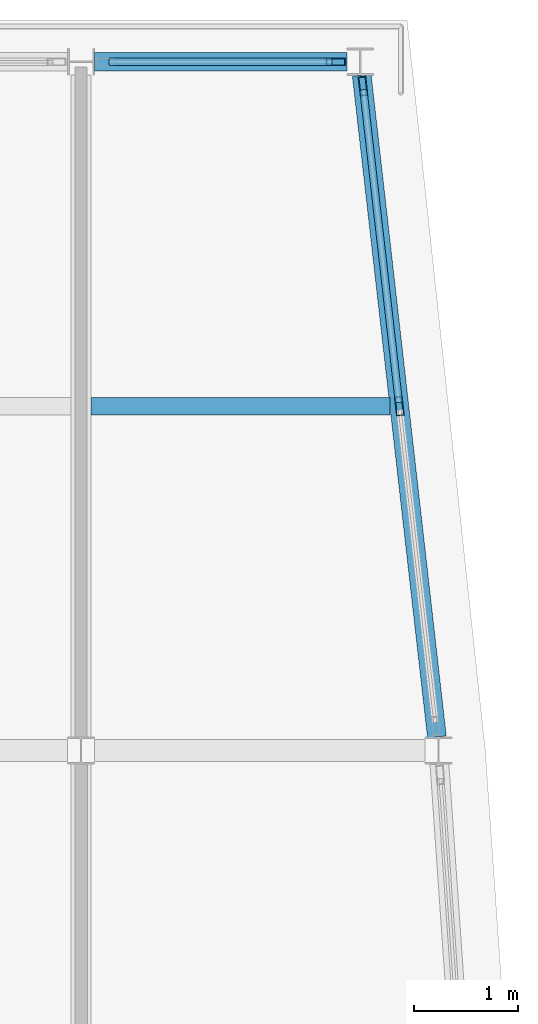
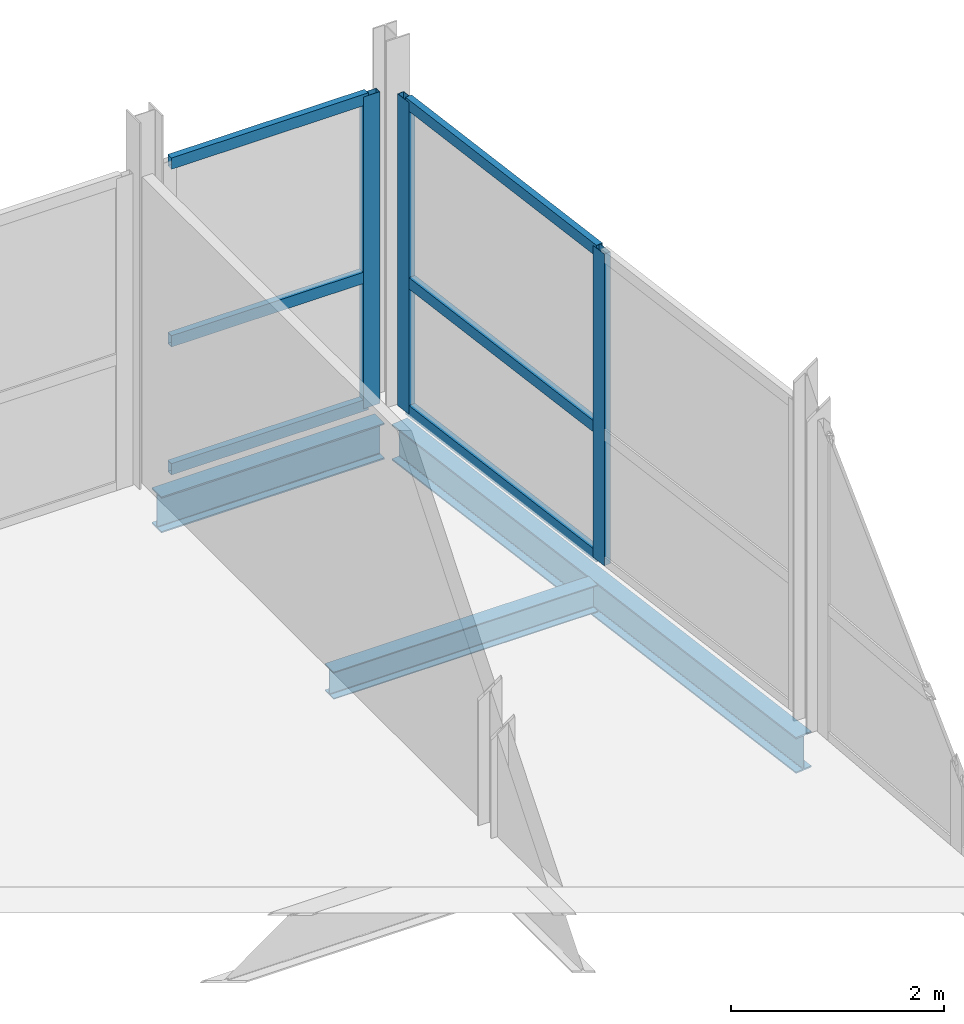
# One storey, part 9 of 14: 9 members, 3 beams, 2 elements without a shape of their own.
"""IFC4 building model written with IfcOpenShell, lengths in metres."""

from ifc_helpers import new_model, si_unit, direction, frame, origin, origin_2d, place, context, subcontext, project, spatial, hollow_rectangle, i_section, extrude, material, layer, layer_set, material_profile, profile_set, type_object, element, aggregate, save


model = new_model("IFC4")

# Units and contexts
model_context = context("Model", 3, precision=1e-05, world=origin(), true_north=direction((0.0, 1.0)))
body_context = subcontext(model_context, "Body", "Model", "MODEL_VIEW")
ifc_project = project(units=[si_unit("LENGTHUNIT", "METRE"), si_unit("AREAUNIT", "SQUARE_METRE"), si_unit("VOLUMEUNIT", "CUBIC_METRE"), si_unit("PLANEANGLEUNIT", "RADIAN"), si_unit("MASSUNIT", "GRAM", prefix="KILO")], contexts=[model_context])

# Site, building, storey
site_placement = place(None, origin())
site = spatial("IfcSite", under=ifc_project, at=site_placement, CompositionType="ELEMENT")
building_placement = place(site_placement, origin())
building = spatial("IfcBuilding", under=site, at=building_placement, Name="Quillay Park Conservatory", CompositionType="ELEMENT")
storey_placement = place(building_placement, frame((0.0, 0.0, 64.5)))
storey = spatial("IfcBuildingStorey", under=building, at=storey_placement, Name="L15", CompositionType="ELEMENT", Elevation=64.5)

# Beam
ifc_material_1 = material(Name="Steel ASTM A992 Grade 50", Category="steel")
ifc_material_profile_1 = material_profile(ifc_material_1, i_section(OverallWidth=0.166015625, OverallDepth=0.31298828125, WebThickness=0.006591796875, FlangeThickness=0.01123046875, FilletRadius=0.010009765625, at=origin_2d()), Name="W310x45")
ifc_profile_set_1 = profile_set([ifc_material_profile_1], Name="Steel ASTM A992 Grade 50")
beam_type_1 = type_object("IfcBeamType", Name="COMPOSITE FLOOR JOIST W310 X45", PredefinedType="JOIST", material=ifc_profile_set_1)
beam_1_placement = place(storey_placement, frame((19.845947265625, 110.10009765625, -0.3564453125), z_axis=(1.0, 0.0, 0.0), x_axis=(0.0, 1.0, 0.0)))
element("IfcBeam", 1, at=beam_1_placement, inside=storey, type_object=beam_type_1, Name="L15 beam BM-J-1046", PredefinedType="JOIST", context=body_context, shape_type="SweptSolid", body=[
    extrude(i_section(OverallWidth=0.166015625, OverallDepth=0.31298828125, WebThickness=0.006591796875, FlangeThickness=0.01123046875, FilletRadius=0.010009765625, at=origin_2d()), origin(), (0.0, 0.0, 1.0), 2.864013671875),
])

# Curtain wall, members
ifc_material_2 = material(Name="Thermally Broken Anodised Aluminium 6063-T6", Category="aluminium")
ifc_layer = layer(ifc_material_2, 0.179931640625)
ifc_layer_set = layer_set([ifc_layer], Name="UNITISED CURTAIN WALL TOWER (Thermally Broken Anodised Aluminium 6063-T6)")
curtain_wall_type = type_object("IfcCurtainWallType", Name="UNITISED CURTAIN WALL TOWER", PredefinedType="USERDEFINED", material=ifc_layer_set)
curtain_wall_1_placement = place(storey_placement, origin())
curtain_wall_1 = element("IfcCurtainWall", 2, at=curtain_wall_1_placement, inside=storey, type_object=curtain_wall_type, Name="L15 Unitised Curtain Wall 143", ObjectType="UNITISED CURTAIN WALL", PredefinedType="USERDEFINED")
ifc_material_3 = material(Name="Thermally Broken Anodised Aluminium 6063-T6", Category="aluminium")
ifc_material_profile_2 = material_profile(ifc_material_3, hollow_rectangle(XDim=0.070068359375, YDim=0.179931640625, WallThickness=0.00390625, at=origin_2d()), Name="AL70x180x4")
ifc_profile_set_2 = profile_set([ifc_material_profile_2], Name="Thermally Broken Anodised Aluminium 6063-T6")
member_type_1 = type_object("IfcMemberType", Name="CURTAIN WALL MULLION 70 X180", PredefinedType="MULLION", material=ifc_profile_set_2)
member_1_placement = place(storey_placement, frame((22.45166015625, 113.16650390625, 0.0), z_axis=(0.0, 0.0, 1.0), x_axis=(0.993605989969, 0.112903218278, 0.0)))
member_1 = element("IfcMember", 3, at=member_1_placement, type_object=member_type_1, Name="CW-T1 mullion 1", PredefinedType="MULLION", context=body_context, shape_type="SweptSolid", body=[
    extrude(hollow_rectangle(XDim=0.070068359375, YDim=0.179931640625, WallThickness=0.00390625, at=origin_2d()), origin(), (0.0, 0.0, 1.0), 3.573974609375),
])
member_2_placement = place(storey_placement, frame((22.800048828125, 110.10009765625, 0.0), z_axis=(0.0, 0.0, 1.0), x_axis=(0.993605989969, 0.112903218278, 0.0)))
member_2 = element("IfcMember", 4, at=member_2_placement, type_object=member_type_1, Name="CW-T1 mullion 2", PredefinedType="MULLION", context=body_context, shape_type="SweptSolid", body=[
    extrude(hollow_rectangle(XDim=0.070068359375, YDim=0.179931640625, WallThickness=0.00390625, at=origin_2d()), origin(), (0.0, 0.0, 1.0), 3.573974609375),
])

# Curtain wall, member
curtain_wall_2_placement = place(storey_placement, origin())
curtain_wall_2 = element("IfcCurtainWall", 5, at=curtain_wall_2_placement, inside=storey, type_object=curtain_wall_type, Name="L15 Unitised Curtain Wall 146", ObjectType="UNITISED CURTAIN WALL", PredefinedType="USERDEFINED")
member_3_placement = place(storey_placement, frame((22.18994140625, 113.39990234375, 0.0), z_axis=(0.0, 0.0, 1.0), x_axis=(0.0, 1.0, 0.0)))
member_3 = element("IfcMember", 6, at=member_3_placement, type_object=member_type_1, Name="CW-T1 mullion 2", PredefinedType="MULLION", context=body_context, shape_type="SweptSolid", body=[
    extrude(hollow_rectangle(XDim=0.070068359375, YDim=0.179931640625, WallThickness=0.00390625, at=origin_2d()), origin(), (0.0, 0.0, 1.0), 3.573974609375),
])

# Member
ifc_material_4 = material(Name="Thermally Broken Anodised Aluminium 6063-T6", Category="aluminium")
ifc_material_profile_3 = material_profile(ifc_material_4, hollow_rectangle(XDim=0.070068359375, YDim=0.1298828125, WallThickness=0.003173828125, at=origin_2d()), Name="AL70x130x3.2")
ifc_profile_set_3 = profile_set([ifc_material_profile_3], Name="Thermally Broken Anodised Aluminium 6063-T6")
member_type_2 = type_object("IfcMemberType", Name="CURTAIN WALL TRANSOM 70 X130", PredefinedType="USERDEFINED", material=ifc_profile_set_3)
member_4_placement = place(storey_placement, frame((22.45556640625, 113.1318359375, 0.034912109375), z_axis=(0.112909688044, -0.99360525479, 0.0), x_axis=(0.99360525479, 0.112909688044, 0.0)))
member_4 = element("IfcMember", 7, at=member_4_placement, type_object=member_type_2, Name="CW-T1 transom 1.1", ObjectType="TRANSOM", PredefinedType="USERDEFINED", context=body_context, shape_type="SweptSolid", body=[
    extrude(hollow_rectangle(XDim=0.070068359375, YDim=0.1298828125, WallThickness=0.003173828125, at=origin_2d()), origin(), (0.0, 0.0, 1.0), 3.016357421875),
])

member_5_placement = place(storey_placement, frame((22.45556640625, 113.1318359375, 1.501220703125), z_axis=(0.112909688044, -0.99360525479, 0.0), x_axis=(0.99360525479, 0.112909688044, 0.0)))
member_5 = element("IfcMember", 8, at=member_5_placement, type_object=member_type_2, Name="CW-T1 transom 1.2", ObjectType="TRANSOM", PredefinedType="USERDEFINED", context=body_context, shape_type="SweptSolid", body=[
    extrude(hollow_rectangle(XDim=0.070068359375, YDim=0.1298828125, WallThickness=0.003173828125, at=origin_2d()), origin(), (0.0, 0.0, 1.0), 3.016357421875),
])

member_6_placement = place(storey_placement, frame((22.45556640625, 113.1318359375, 3.5390625), z_axis=(0.112909688044, -0.99360525479, 0.0), x_axis=(0.99360525479, 0.112909688044, 0.0)))
member_6 = element("IfcMember", 9, at=member_6_placement, type_object=member_type_2, Name="CW-T1 transom 1.3", ObjectType="TRANSOM", PredefinedType="USERDEFINED", context=body_context, shape_type="SweptSolid", body=[
    extrude(hollow_rectangle(XDim=0.070068359375, YDim=0.1298828125, WallThickness=0.003173828125, at=origin_2d()), origin(), (0.0, 0.0, 1.0), 3.016357421875),
])

aggregate(curtain_wall_1, [member_1, member_2, member_4, member_5, member_6])

member_7_placement = place(storey_placement, frame((20.02001953125, 113.39990234375, 0.034912109375), z_axis=(1.0, 0.0, 0.0), x_axis=(0.0, 1.0, 0.0)))
member_7 = element("IfcMember", 10, at=member_7_placement, type_object=member_type_2, Name="CW-T1 transom 1.1", ObjectType="TRANSOM", PredefinedType="USERDEFINED", context=body_context, shape_type="SweptSolid", body=[
    extrude(hollow_rectangle(XDim=0.070068359375, YDim=0.1298828125, WallThickness=0.003173828125, at=origin_2d()), origin(), (0.0, 0.0, 1.0), 2.135009765625),
])

member_8_placement = place(storey_placement, frame((20.02001953125, 113.39990234375, 1.501220703125), z_axis=(1.0, 0.0, 0.0), x_axis=(0.0, 1.0, 0.0)))
member_8 = element("IfcMember", 11, at=member_8_placement, type_object=member_type_2, Name="CW-T1 transom 1.2", ObjectType="TRANSOM", PredefinedType="USERDEFINED", context=body_context, shape_type="SweptSolid", body=[
    extrude(hollow_rectangle(XDim=0.070068359375, YDim=0.1298828125, WallThickness=0.003173828125, at=origin_2d()), origin(), (0.0, 0.0, 1.0), 2.135009765625),
])

member_9_placement = place(storey_placement, frame((20.02001953125, 113.39990234375, 3.5390625), z_axis=(1.0, 0.0, 0.0), x_axis=(0.0, 1.0, 0.0)))
member_9 = element("IfcMember", 12, at=member_9_placement, type_object=member_type_2, Name="CW-T1 transom 1.3", ObjectType="TRANSOM", PredefinedType="USERDEFINED", context=body_context, shape_type="SweptSolid", body=[
    extrude(hollow_rectangle(XDim=0.070068359375, YDim=0.1298828125, WallThickness=0.003173828125, at=origin_2d()), origin(), (0.0, 0.0, 1.0), 2.135009765625),
])

aggregate(curtain_wall_2, [member_3, member_7, member_8, member_9])

# Beams
ifc_material_5 = material(Name="Steel ASTM A992 Grade 50", Category="steel")
ifc_material_profile_4 = material_profile(ifc_material_5, i_section(OverallWidth=0.179931640625, OverallDepth=0.4130859375, WebThickness=0.009765625, FlangeThickness=0.01611328125, FilletRadius=0.011962890625, at=origin_2d()), Name="W410x74")
ifc_profile_set_4 = profile_set([ifc_material_profile_4], Name="Steel ASTM A992 Grade 50")
beam_type_2 = type_object("IfcBeamType", Name="PERIMETER SPANDREL BEAM W410 X74", PredefinedType="SPANDREL", material=ifc_profile_set_4)
beam_2_placement = place(storey_placement, frame((19.8798828125, 113.39990234375, -0.406494140625), z_axis=(1.0, 0.0, 0.0), x_axis=(0.0, 1.0, 0.0)))
element("IfcBeam", 13, at=beam_2_placement, inside=storey, type_object=beam_type_2, Name="L15 beam BM-SP-1015", PredefinedType="SPANDREL", context=body_context, shape_type="SweptSolid", body=[
    extrude(i_section(OverallWidth=0.179931640625, OverallDepth=0.4130859375, WebThickness=0.009765625, FlangeThickness=0.01611328125, FilletRadius=0.011962890625, at=origin_2d()), origin(), (0.0, 0.0, 1.0), 2.417236328125),
])
beam_3_placement = place(storey_placement, frame((23.160400390625, 106.92919921875, -0.406494140625), z_axis=(-0.112920845776, 0.993603986802, 0.0), x_axis=(-0.993603986802, -0.112920845776, 0.0)))
element("IfcBeam", 14, at=beam_3_placement, inside=storey, type_object=beam_type_2, Name="L15 beam BM-SPE-1042", PredefinedType="SPANDREL", context=body_context, shape_type="SweptSolid", body=[
    extrude(i_section(OverallWidth=0.179931640625, OverallDepth=0.4130859375, WebThickness=0.009765625, FlangeThickness=0.01611328125, FilletRadius=0.011962890625, at=origin_2d()), origin(), (0.0, 0.0, 1.0), 6.38232421875),
])

save(model, "model.ifc")
